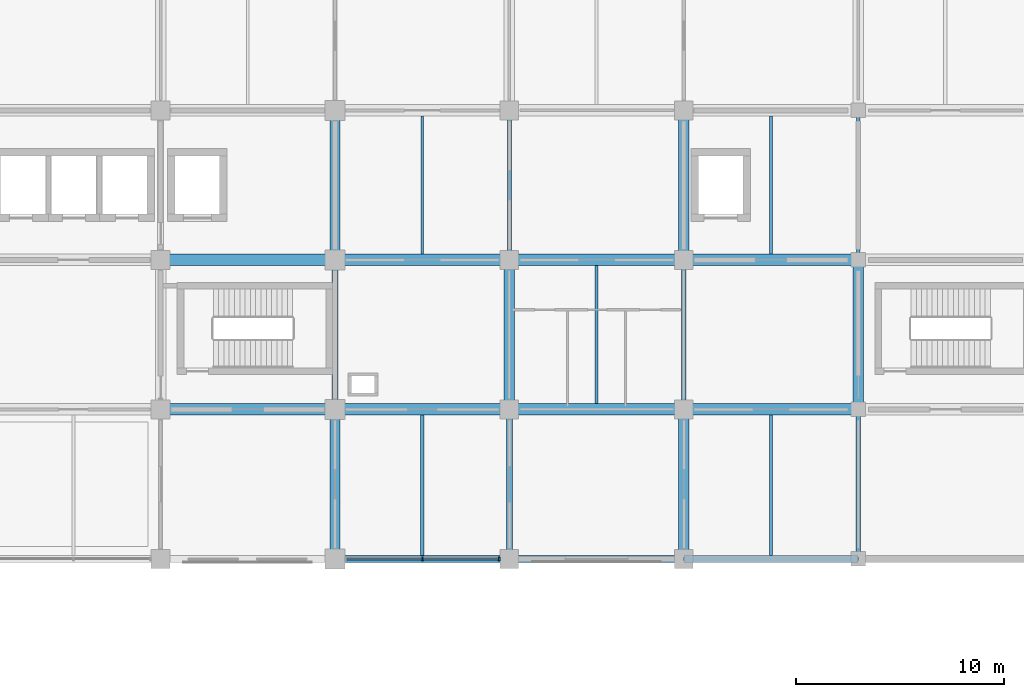
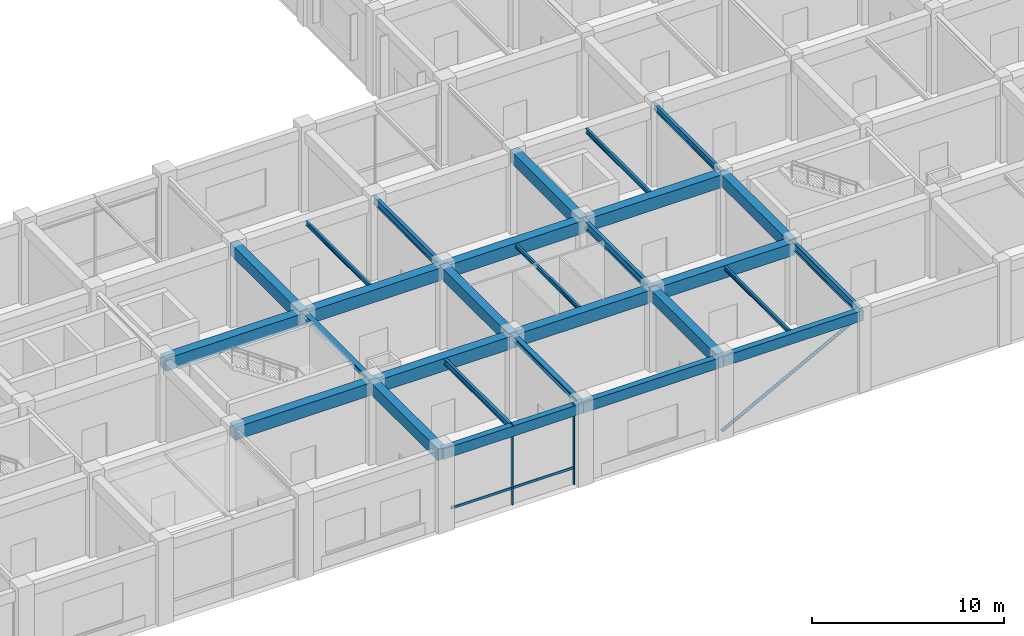
# One storey, part 8 of 41: 28 beams, 5 members, 1 element without a shape of its own.
"""IFC4 building model written with IfcOpenShell, lengths in metres."""

import ifcopenshell
import ifcopenshell.guid

model = None  # the IFC model being written
_history = None  # IfcOwnerHistory: only IFC2X3 demands one
_inside = {}  # id of a spatial element -> (the spatial element, [elements in it])
_under = {}  # id of a project, library or spatial element -> (it, [spatial elements below it])
_declared = {}  # id of a project -> (the project, [libraries it declares])
_typed = {}  # id of a type object -> (the type object, [elements of that type])
_made_of = {}  # id of a material, layer set ... -> (it, [elements and type objects made of it])


def new_model(schema):
    """Start an empty IFC model of exactly this schema.

    Asked for "IFC4X3", IfcOpenShell would pick the latest addendum, in which some entities
    have other attributes; the version numbers below select the first issue.
    IFC2X3 requires an IfcOwnerHistory on every rooted entity: one is made here for all.
    """
    global model, _history
    if schema == "IFC4X3":
        model = ifcopenshell.file(schema_version=(4, 3, 0, 0))
    else:
        model = ifcopenshell.file(schema=schema)
    _inside.clear()
    _under.clear()
    _declared.clear()
    _typed.clear()
    _made_of.clear()
    _history = None
    if model.schema == "IFC2X3":
        org = make("IfcOrganization", Name="unknown")
        user = make(
            "IfcPersonAndOrganization",
            ThePerson=make("IfcPerson", FamilyName="unknown"),
            TheOrganization=org,
        )
        app = make(
            "IfcApplication",
            ApplicationDeveloper=org,
            Version="unknown",
            ApplicationFullName="unknown",
            ApplicationIdentifier="unknown",
        )
        _history = make(
            "IfcOwnerHistory",
            OwningUser=user,
            OwningApplication=app,
            ChangeAction="ADDED",
            CreationDate=0,
        )
    return model


def make(cls, **values):
    """One entity of the class cls with the attributes given. An attribute that is None is left unset."""
    return model.create_entity(
        cls, **{name: value for name, value in values.items() if value is not None}
    )


def rooted(cls, **values):
    """An entity with a GlobalId (a new one), such as an element, a storey or a relation."""
    return make(cls, GlobalId=ifcopenshell.guid.new(), OwnerHistory=_history, **values)


def si_unit(unit_type, name, prefix=None):
    """IfcSIUnit, for example si_unit("LENGTHUNIT", "METRE", prefix="MILLI")."""
    return make("IfcSIUnit", UnitType=unit_type, Prefix=prefix, Name=name)


def derived_unit(unit_type, elements):
    """IfcDerivedUnit: a product of units, each with its exponent."""
    return make(
        "IfcDerivedUnit",
        Elements=[
            make("IfcDerivedUnitElement", Unit=unit, Exponent=power)
            for unit, power in elements
        ],
        UnitType=unit_type,
    )


def assignment(units):
    """IfcUnitAssignment: the units of a project."""
    return None if units is None else make("IfcUnitAssignment", Units=units)


def point(xyz):
    """IfcCartesianPoint."""
    return None if xyz is None else make("IfcCartesianPoint", Coordinates=xyz)


def direction(xyz):
    """IfcDirection."""
    return None if xyz is None else make("IfcDirection", DirectionRatios=xyz)


def frame(location, z_axis=None, x_axis=None):
    """IfcAxis2Placement3D, a coordinate frame: its origin and axes. An axis left out is left unset."""
    return make(
        "IfcAxis2Placement3D",
        Location=point(location),
        Axis=direction(z_axis),
        RefDirection=direction(x_axis),
    )


def frame_2d(location, x_axis=None):
    """IfcAxis2Placement2D, a coordinate frame in the plane: its origin and x axis."""
    return make(
        "IfcAxis2Placement2D", Location=point(location), RefDirection=direction(x_axis)
    )


def origin():
    """The frame at (0, 0, 0) with its axes left unset."""
    return frame((0.0, 0.0, 0.0))


def origin_2d():
    """The frame at (0, 0) in the plane with its x axis left unset."""
    return frame_2d((0.0, 0.0))


def place(relative_to, where):
    """IfcLocalPlacement: puts the frame where relative to a parent placement (None: the world)."""
    return make(
        "IfcLocalPlacement", PlacementRelTo=relative_to, RelativePlacement=where
    )


def context(
    kind, dimensions, precision=None, world=None, true_north=None, identifier=None
):
    """IfcGeometricRepresentationContext, for example the 3D "Model" context."""
    return make(
        "IfcGeometricRepresentationContext",
        ContextIdentifier=identifier,
        ContextType=kind,
        CoordinateSpaceDimension=dimensions,
        Precision=precision,
        WorldCoordinateSystem=world,
        TrueNorth=true_north,
    )


def subcontext(parent, identifier, kind, view, scale=None):
    """IfcGeometricRepresentationSubContext, for example "Body" below "Model"."""
    return make(
        "IfcGeometricRepresentationSubContext",
        ContextIdentifier=identifier,
        ContextType=kind,
        ParentContext=parent,
        TargetScale=scale,
        TargetView=view,
    )


def project(units=None, contexts=None):
    """IfcProject with its units and contexts."""
    return rooted(
        "IfcProject",
        Name="project",
        RepresentationContexts=contexts,
        UnitsInContext=assignment(units),
    )


def spatial(cls, under=None, at=None, **own):
    """A site, building, storey or space (cls), placed at a placement, below another one or the project."""
    s = rooted(cls, ObjectPlacement=at, **own)
    if under is not None:
        _under.setdefault(under.id(), (under, []))[1].append(s)
    return s


def profile(cls, at=None, kind="AREA", **sizes):
    """A parametric profile (cls). Its sizes go by their IFC names, for example OverallWidth=200.0."""
    return make(cls, ProfileType=kind, Position=at, **sizes)


def rectangle(**sizes):
    """IfcRectangleProfileDef."""
    return profile("IfcRectangleProfileDef", **sizes)


def hollow_circle(**sizes):
    """IfcCircleHollowProfileDef."""
    return profile("IfcCircleHollowProfileDef", **sizes)


def i_section(**sizes):
    """IfcIShapeProfileDef."""
    return profile("IfcIShapeProfileDef", **sizes)


def extrude(swept, where, along, depth):
    """IfcExtrudedAreaSolid: the profile swept, set in the frame where, extruded along a direction by depth."""
    return make(
        "IfcExtrudedAreaSolid",
        SweptArea=swept,
        Position=where,
        ExtrudedDirection=direction(along),
        Depth=depth,
    )


def shape(context_of_items, identifier, shape_type, items):
    """IfcShapeRepresentation: the items that make up one representation, for example the "Body"."""
    return make(
        "IfcShapeRepresentation",
        ContextOfItems=context_of_items,
        RepresentationIdentifier=identifier,
        RepresentationType=shape_type,
        Items=items,
    )


def material(Name=None, Category=None):
    """IfcMaterial."""
    return make("IfcMaterial", Name=Name, Category=Category)


def material_profile(
    of_material, cross_section, Name=None, Category=None, Priority=None
):
    """IfcMaterialProfile: a cross section and its material."""
    return make(
        "IfcMaterialProfile",
        Name=Name,
        Material=of_material,
        Profile=cross_section,
        Priority=Priority,
        Category=Category,
    )


def profile_set(profiles, Name=None, composite=None):
    """IfcMaterialProfileSet."""
    return make(
        "IfcMaterialProfileSet",
        Name=Name,
        MaterialProfiles=profiles,
        CompositeProfile=composite,
    )


def made_of(thing, what):
    """Note that an element or type object is made of a material, layer set ...; save() writes the relation."""
    if what is not None:
        _made_of.setdefault(what.id(), (what, []))[1].append(thing)
    return thing


def type_object(cls, material=None, **own):
    """A type object (cls), such as IfcWallType, which elements share."""
    return made_of(rooted(cls, **own), material)


def element(
    cls,
    number,
    at=None,
    inside=None,
    cuts=None,
    type_object=None,
    material=None,
    context=None,
    identifier="Body",
    shape_type=None,
    held_by="IfcProductDefinitionShape",
    body=None,
    shapes=None,
    **own,
):
    """One element of the class cls, such as IfcWall. Its Tag is "e" and its number.

    at: its placement. inside: the storey or other place that contains it. cuts: it is an
    opening in that element (IfcRelVoidsElement). A single representation is given by context,
    identifier, shape_type and body (its items); several are given by shapes. held_by: the class
    of the entity that holds the representations. save() writes the other relations.
    """
    e = rooted(cls, Tag="e%d" % number, ObjectPlacement=at, **own)
    if body is not None:
        shapes = [shape(context, identifier, shape_type, body)]
    if shapes is not None:
        e.Representation = make(held_by, Representations=shapes)
    if inside is not None:
        _inside.setdefault(inside.id(), (inside, []))[1].append(e)
    if cuts is not None:
        rooted(
            "IfcRelVoidsElement", RelatingBuildingElement=cuts, RelatedOpeningElement=e
        )
    if type_object is not None:
        _typed.setdefault(type_object.id(), (type_object, []))[1].append(e)
    return made_of(e, material)


def aggregate(whole, parts):
    """IfcRelAggregates: a whole, such as a stair, and the parts it consists of."""
    return rooted("IfcRelAggregates", RelatingObject=whole, RelatedObjects=parts)


def save(model, path):
    """Write the relations noted so far, then the file.

    IfcRelAggregates (storeys below a building ...), IfcRelContainedInSpatialStructure (elements
    in a storey), IfcRelDefinesByType, IfcRelAssociatesMaterial and IfcRelDeclares: one each for
    every whole, place, type object, material and project.
    """
    for whole, parts in _under.values():
        aggregate(whole, parts)
    for where, things in _inside.values():
        rooted(
            "IfcRelContainedInSpatialStructure",
            RelatedElements=things,
            RelatingStructure=where,
        )
    for kind, things in _typed.values():
        rooted("IfcRelDefinesByType", RelatedObjects=things, RelatingType=kind)
    for what, things in _made_of.values():
        rooted("IfcRelAssociatesMaterial", RelatedObjects=things, RelatingMaterial=what)
    for by, libraries in _declared.values():
        rooted("IfcRelDeclares", RelatingContext=by, RelatedDefinitions=libraries)
    model.write(path)


model = new_model("IFC4")

# Units and contexts
model_context = context("Model", 3, precision=1e-05, world=origin(), true_north=direction((0.0, 1.0)))
body_context = subcontext(model_context, "Body", "Model", "MODEL_VIEW")
ifc_project = project(units=[si_unit("LENGTHUNIT", "METRE"), si_unit("AREAUNIT", "SQUARE_METRE"), si_unit("VOLUMEUNIT", "CUBIC_METRE"), si_unit("PLANEANGLEUNIT", "RADIAN"), si_unit("MASSUNIT", "GRAM", prefix="KILO"), derived_unit("THERMALTRANSMITTANCEUNIT", [(si_unit("MASSUNIT", "GRAM", prefix="KILO"), 1), (si_unit("TIMEUNIT", "SECOND"), -3), (si_unit("THERMODYNAMICTEMPERATUREUNIT", "KELVIN"), -1)])], contexts=[model_context])

# Site, building, storey
site_placement = place(None, origin())
site = spatial("IfcSite", under=ifc_project, at=site_placement, CompositionType="ELEMENT")
building_placement = place(site_placement, origin())
building = spatial("IfcBuilding", under=site, at=building_placement, Name="Veldstrom Oceanarium and Marine Research Institute", CompositionType="ELEMENT")
storey_placement = place(building_placement, frame((0.0, 0.0, 6.0)))
storey = spatial("IfcBuildingStorey", under=building, at=storey_placement, Name="L01", CompositionType="ELEMENT", Elevation=6.0)

# Curtain wall, members
ifc_material_1 = material(Name="Anodised Aluminium Framing", Category="aluminium")
curtain_wall_type = type_object("IfcCurtainWallType", Name="ARC-CW-CW02", PredefinedType="USERDEFINED", material=ifc_material_1)
curtain_wall_placement = place(storey_placement, origin())
curtain_wall = element("IfcCurtainWall", 1, at=curtain_wall_placement, inside=storey, type_object=curtain_wall_type, Name="Curtain Wall CW02 CW-L01-012", ObjectType="Curtain wall", PredefinedType="USERDEFINED")
ifc_material_2 = material(Name="Anodised Aluminium Framing", Category="aluminium")
ifc_material_profile_1 = material_profile(ifc_material_2, rectangle(XDim=0.074951171875, YDim=0.179931640625, at=origin_2d()), Name="ALU-MUL-75x180")
ifc_profile_set_1 = profile_set([ifc_material_profile_1], Name="Anodised Aluminium Framing")
member_type_1 = type_object("IfcMemberType", Name="ARC-MUL-ML1", PredefinedType="MULLION", material=ifc_profile_set_1)
member_1_placement = place(storey_placement, frame((105.012451171875, 43.199951171875, 0.0), z_axis=(0.0, 0.0, 1.0), x_axis=(1.0, 0.0, 0.0)))
member_1 = element("IfcMember", 2, at=member_1_placement, type_object=member_type_1, Name="Curtain Wall Mullion CW-L01-012-MUL-2", PredefinedType="MULLION", context=body_context, shape_type="SweptSolid", body=[
    extrude(rectangle(XDim=0.074951171875, YDim=0.179931640625, at=origin_2d()), origin(), (0.0, 0.0, 1.0), 5.074951171875),
])
member_2_placement = place(storey_placement, frame((108.7099609375, 43.199951171875, 0.0), z_axis=(0.0, 0.0, 1.0), x_axis=(1.0, 0.0, 0.0)))
member_2 = element("IfcMember", 3, at=member_2_placement, type_object=member_type_1, Name="Curtain Wall Mullion CW-L01-012-MUL-3", PredefinedType="MULLION", context=body_context, shape_type="SweptSolid", body=[
    extrude(rectangle(XDim=0.074951171875, YDim=0.179931640625, at=origin_2d()), origin(), (0.0, 0.0, 1.0), 5.074951171875),
])
ifc_material_3 = material(Name="Anodised Aluminium Framing", Category="aluminium")
ifc_material_profile_2 = material_profile(ifc_material_3, rectangle(XDim=0.074951171875, YDim=0.14990234375, at=origin_2d()), Name="ALU-TRN-75x150")
ifc_profile_set_2 = profile_set([ifc_material_profile_2], Name="Anodised Aluminium Framing")
member_type_2 = type_object("IfcMemberType", Name="ARC-TRN-TR1", PredefinedType="USERDEFINED", material=ifc_profile_set_2)
member_3_placement = place(storey_placement, frame((101.35498046875, 43.199951171875, 1.050048828125), z_axis=(1.0, 0.0, 0.0), x_axis=(0.0, 1.0, 0.0)))
member_3 = element("IfcMember", 4, at=member_3_placement, type_object=member_type_2, Name="Curtain Wall Transom CW-L01-012-TRN-1", ObjectType="Transom", PredefinedType="USERDEFINED", context=body_context, shape_type="SweptSolid", body=[
    extrude(rectangle(XDim=0.074951171875, YDim=0.14990234375, at=origin_2d()), origin(), (0.0, 0.0, 1.0), 3.617431640625),
])
member_4_placement = place(storey_placement, frame((105.052490234375, 43.199951171875, 1.050048828125), z_axis=(1.0, 0.0, 0.0), x_axis=(0.0, 1.0, 0.0)))
member_4 = element("IfcMember", 5, at=member_4_placement, type_object=member_type_2, Name="Curtain Wall Transom CW-L01-012-TRN-2", ObjectType="Transom", PredefinedType="USERDEFINED", context=body_context, shape_type="SweptSolid", body=[
    extrude(rectangle(XDim=0.074951171875, YDim=0.14990234375, at=origin_2d()), origin(), (0.0, 0.0, 1.0), 3.617431640625),
])
aggregate(curtain_wall, [member_1, member_2, member_3, member_4])

# Beams
ifc_material_4 = material(Name="Concrete C40/50", Category="concrete")
ifc_material_profile_3 = material_profile(ifc_material_4, rectangle(XDim=0.550048828125, YDim=0.800048828125, at=origin_2d()), Name="RC-BM-550x800")
ifc_profile_set_3 = profile_set([ifc_material_profile_3], Name="Concrete C40/50")
beam_type_1 = type_object("IfcBeamType", Name="STR-BM-B02", PredefinedType="BEAM", material=ifc_profile_set_3)
for number, where, z_axis, x_axis, name in (
    (6, (92.39990234375, 50.39990234375, 4.669921875), (1.0, 0.0, 0.0), (0.0, 1.0, 0.0), "Primary Beam B02 L01-1223"),
    (7, (92.39990234375, 57.60009765625, 4.669921875), (1.0, 0.0, 0.0), (0.0, 1.0, 0.0), "Primary Beam B02 L01-1224"),
):
    element("IfcBeam", number, at=place(storey_placement, frame(where, z_axis=z_axis, x_axis=x_axis)), inside=storey, type_object=beam_type_1, Name=name, PredefinedType="BEAM", context=body_context, shape_type="SweptSolid", body=[
        extrude(rectangle(XDim=0.550048828125, YDim=0.800048828125, at=origin_2d()), origin(), (0.0, 0.0, 1.0), 8.400146484375),
    ])
for number, where, z_axis, x_axis, name in (
    (8, (100.800048828125, 50.39990234375, 4.669921875), (1.0, 0.0, 0.0), (0.0, 1.0, 0.0), "Primary Beam B02 L01-1228"),
    (9, (100.800048828125, 57.60009765625, 4.669921875), (1.0, 0.0, 0.0), (0.0, 1.0, 0.0), "Primary Beam B02 L01-1229"),
):
    element("IfcBeam", number, at=place(storey_placement, frame(where, z_axis=z_axis, x_axis=x_axis)), inside=storey, type_object=beam_type_1, Name=name, PredefinedType="BEAM", context=body_context, shape_type="SweptSolid", body=[
        extrude(rectangle(XDim=0.550048828125, YDim=0.800048828125, at=origin_2d()), origin(), (0.0, 0.0, 1.0), 8.39990234375),
    ])
for number, where, z_axis, x_axis, name in (
    (10, (109.199951171875, 50.39990234375, 4.669921875), (1.0, 0.0, 0.0), (0.0, 1.0, 0.0), "Primary Beam B02 L01-1233"),
    (11, (109.199951171875, 57.60009765625, 4.669921875), (1.0, 0.0, 0.0), (0.0, 1.0, 0.0), "Primary Beam B02 L01-1234"),
):
    element("IfcBeam", number, at=place(storey_placement, frame(where, z_axis=z_axis, x_axis=x_axis)), inside=storey, type_object=beam_type_1, Name=name, PredefinedType="BEAM", context=body_context, shape_type="SweptSolid", body=[
        extrude(rectangle(XDim=0.550048828125, YDim=0.800048828125, at=origin_2d()), origin(), (0.0, 0.0, 1.0), 8.400146484375),
    ])
for number, where, z_axis, x_axis, name in (
    (12, (117.60009765625, 50.39990234375, 4.669921875), (1.0, 0.0, 0.0), (0.0, 1.0, 0.0), "Primary Beam B02 L01-1238"),
    (13, (117.60009765625, 57.60009765625, 4.669921875), (1.0, 0.0, 0.0), (0.0, 1.0, 0.0), "Primary Beam B02 L01-1239"),
):
    element("IfcBeam", number, at=place(storey_placement, frame(where, z_axis=z_axis, x_axis=x_axis)), inside=storey, type_object=beam_type_1, Name=name, PredefinedType="BEAM", context=body_context, shape_type="SweptSolid", body=[
        extrude(rectangle(XDim=0.550048828125, YDim=0.800048828125, at=origin_2d()), origin(), (0.0, 0.0, 1.0), 8.39990234375),
    ])
ifc_material_5 = material(Name="Concrete C40/50", Category="concrete")
ifc_material_profile_4 = material_profile(ifc_material_5, rectangle(XDim=0.5, YDim=0.75, at=origin_2d()), Name="RC-BM-500x750")
ifc_profile_set_4 = profile_set([ifc_material_profile_4], Name="Concrete C40/50")
beam_type_2 = type_object("IfcBeamType", Name="STR-BM-B03", PredefinedType="BEAM", material=ifc_profile_set_4)
for number, where, z_axis, x_axis, name in (
    (14, (100.800048828125, 43.199951171875, 4.695068359375), (0.0, 1.0, 0.0), (-1.0, 0.0, 0.0), "Primary Beam B03 L01-1375"),
    (15, (100.800048828125, 57.60009765625, 4.695068359375), (0.0, 1.0, 0.0), (-1.0, 0.0, 0.0), "Primary Beam B03 L01-1377"),
):
    element("IfcBeam", number, at=place(storey_placement, frame(where, z_axis=z_axis, x_axis=x_axis)), inside=storey, type_object=beam_type_2, Name=name, PredefinedType="BEAM", context=body_context, shape_type="SweptSolid", body=[
        extrude(rectangle(XDim=0.5, YDim=0.75, at=origin_2d()), origin(), (0.0, 0.0, 1.0), 7.199951171875),
    ])
beam_1_placement = place(storey_placement, frame((109.199951171875, 50.39990234375, 4.695068359375), z_axis=(0.0, 1.0, 0.0), x_axis=(-1.0, 0.0, 0.0)))
element("IfcBeam", 16, at=beam_1_placement, inside=storey, type_object=beam_type_2, Name="Primary Beam B03 L01-1380", PredefinedType="BEAM", context=body_context, shape_type="SweptSolid", body=[
    extrude(rectangle(XDim=0.5, YDim=0.75, at=origin_2d()), origin(), (0.0, 0.0, 1.0), 7.2001953125),
])
for number, where, z_axis, x_axis, name in (
    (17, (117.60009765625, 43.199951171875, 4.695068359375), (0.0, 1.0, 0.0), (-1.0, 0.0, 0.0), "Primary Beam B03 L01-1383"),
    (18, (117.60009765625, 57.60009765625, 4.695068359375), (0.0, 1.0, 0.0), (-1.0, 0.0, 0.0), "Primary Beam B03 L01-1385"),
):
    element("IfcBeam", number, at=place(storey_placement, frame(where, z_axis=z_axis, x_axis=x_axis)), inside=storey, type_object=beam_type_2, Name=name, PredefinedType="BEAM", context=body_context, shape_type="SweptSolid", body=[
        extrude(rectangle(XDim=0.5, YDim=0.75, at=origin_2d()), origin(), (0.0, 0.0, 1.0), 7.199951171875),
    ])
beam_2_placement = place(storey_placement, frame((126.0, 50.39990234375, 4.695068359375), z_axis=(0.0, 1.0, 0.0), x_axis=(-1.0, 0.0, 0.0)))
element("IfcBeam", 19, at=beam_2_placement, inside=storey, type_object=beam_type_2, Name="Primary Beam B03 L01-1391", PredefinedType="BEAM", context=body_context, shape_type="SweptSolid", body=[
    extrude(rectangle(XDim=0.5, YDim=0.75, at=origin_2d()), origin(), (0.0, 0.0, 1.0), 7.2001953125),
])
ifc_material_6 = material(Name="Steel S355JR", Category="steel")
ifc_material_profile_5 = material_profile(ifc_material_6, i_section(OverallWidth=0.300048828125, OverallDepth=0.2900390625, WebThickness=0.008544921875, FlangeThickness=0.013916015625, FilletRadius=0.027099609375, at=origin_2d()), Name="HEA 300")
ifc_profile_set_5 = profile_set([ifc_material_profile_5], Name="Steel S355JR")
beam_type_3 = type_object("IfcBeamType", Name="STR-BM-SB10", PredefinedType="BEAM", material=ifc_profile_set_5)
beam_3_placement = place(storey_placement, frame((100.800048828125, 50.39990234375, 4.925048828125), z_axis=(0.0, 1.0, 0.0), x_axis=(-1.0, 0.0, 0.0)))
element("IfcBeam", 20, at=beam_3_placement, inside=storey, type_object=beam_type_3, Name="Steel Tie Beam SB10 L01-1376", PredefinedType="BEAM", context=body_context, shape_type="SweptSolid", body=[
    extrude(i_section(OverallWidth=0.300048828125, OverallDepth=0.2900390625, WebThickness=0.008544921875, FlangeThickness=0.013916015625, FilletRadius=0.027099609375, at=origin_2d()), origin(), (0.0, 0.0, 1.0), 7.2001953125),
])
beam_4_placement = place(storey_placement, frame((109.199951171875, 43.199951171875, 4.925048828125), z_axis=(0.0, 1.0, 0.0), x_axis=(-1.0, 0.0, 0.0)))
element("IfcBeam", 21, at=beam_4_placement, inside=storey, type_object=beam_type_3, Name="Steel Tie Beam SB10 L01-1379", PredefinedType="BEAM", context=body_context, shape_type="SweptSolid", body=[
    extrude(i_section(OverallWidth=0.300048828125, OverallDepth=0.2900390625, WebThickness=0.008544921875, FlangeThickness=0.013916015625, FilletRadius=0.027099609375, at=origin_2d()), origin(), (0.0, 0.0, 1.0), 7.199951171875),
])
ifc_material_7 = material(Name="Steel S355JR", Category="steel")
ifc_material_profile_6 = material_profile(ifc_material_7, i_section(OverallWidth=0.199951171875, OverallDepth=0.5, WebThickness=0.01025390625, FlangeThickness=0.01611328125, FilletRadius=0.02099609375, at=origin_2d()), Name="IPE 500")
ifc_profile_set_6 = profile_set([ifc_material_profile_6], Name="Steel S355JR")
beam_type_4 = type_object("IfcBeamType", Name="STR-BM-SB6", PredefinedType="BEAM", material=ifc_profile_set_6)
beam_5_placement = place(storey_placement, frame((109.199951171875, 57.60009765625, 4.820068359375), z_axis=(0.0, 1.0, 0.0), x_axis=(-1.0, 0.0, 0.0)))
element("IfcBeam", 22, at=beam_5_placement, inside=storey, type_object=beam_type_4, Name="Steel Tie Beam SB6 L01-1381", PredefinedType="BEAM", context=body_context, shape_type="SweptSolid", body=[
    extrude(i_section(OverallWidth=0.199951171875, OverallDepth=0.5, WebThickness=0.01025390625, FlangeThickness=0.01611328125, FilletRadius=0.02099609375, at=origin_2d()), origin(), (0.0, 0.0, 1.0), 7.199951171875),
])
beam_6_placement = place(storey_placement, frame((117.60009765625, 50.39990234375, 4.820068359375), z_axis=(0.0, 1.0, 0.0), x_axis=(-1.0, 0.0, 0.0)))
element("IfcBeam", 23, at=beam_6_placement, inside=storey, type_object=beam_type_4, Name="Steel Tie Beam SB6 L01-1384", PredefinedType="BEAM", context=body_context, shape_type="SweptSolid", body=[
    extrude(i_section(OverallWidth=0.199951171875, OverallDepth=0.5, WebThickness=0.01025390625, FlangeThickness=0.01611328125, FilletRadius=0.02099609375, at=origin_2d()), origin(), (0.0, 0.0, 1.0), 7.2001953125),
])
beam_7_placement = place(storey_placement, frame((126.0, 43.199951171875, 4.820068359375), z_axis=(0.0, 1.0, 0.0), x_axis=(-1.0, 0.0, 0.0)))
element("IfcBeam", 24, at=beam_7_placement, inside=storey, type_object=beam_type_4, Name="Steel Tie Beam SB6 L01-1390", PredefinedType="BEAM", context=body_context, shape_type="SweptSolid", body=[
    extrude(i_section(OverallWidth=0.199951171875, OverallDepth=0.5, WebThickness=0.01025390625, FlangeThickness=0.01611328125, FilletRadius=0.02099609375, at=origin_2d()), origin(), (0.0, 0.0, 1.0), 7.199951171875),
])
ifc_material_8 = material(Name="Steel S355JR", Category="steel")
ifc_material_profile_7 = material_profile(ifc_material_8, i_section(OverallWidth=0.179931640625, OverallDepth=0.39990234375, WebThickness=0.008544921875, FlangeThickness=0.013427734375, FilletRadius=0.02099609375, at=origin_2d()), Name="IPE 400")
ifc_profile_set_7 = profile_set([ifc_material_profile_7], Name="Steel S355JR")
beam_type_5 = type_object("IfcBeamType", Name="STR-BM-SB8", PredefinedType="BEAM", material=ifc_profile_set_7)
beam_8_placement = place(storey_placement, frame((126.0, 57.60009765625, 4.8701171875), z_axis=(0.0, 1.0, 0.0), x_axis=(-1.0, 0.0, 0.0)))
element("IfcBeam", 25, at=beam_8_placement, inside=storey, type_object=beam_type_5, Name="Steel Tie Beam SB8 L01-1392", PredefinedType="BEAM", context=body_context, shape_type="SweptSolid", body=[
    extrude(i_section(OverallWidth=0.179931640625, OverallDepth=0.39990234375, WebThickness=0.008544921875, FlangeThickness=0.013427734375, FilletRadius=0.02099609375, at=origin_2d()), origin(), (0.0, 0.0, 1.0), 7.199951171875),
])
ifc_material_9 = material(Name="Steel S355JR", Category="steel")
ifc_material_profile_8 = material_profile(ifc_material_9, i_section(OverallWidth=0.169921875, OverallDepth=0.360107421875, WebThickness=0.008056640625, FlangeThickness=0.0126953125, FilletRadius=0.01806640625, at=origin_2d()), Name="IPE 360")
ifc_profile_set_8 = profile_set([ifc_material_profile_8], Name="Steel S355JR")
beam_type_6 = type_object("IfcBeamType", Name="STR-JST-SJ1", PredefinedType="JOIST", material=ifc_profile_set_8)
beam_9_placement = place(storey_placement, frame((105.0, 43.375, 4.889892578125), z_axis=(0.0, 1.0, 0.0), x_axis=(-1.0, 0.0, 0.0)))
element("IfcBeam", 26, at=beam_9_placement, inside=storey, type_object=beam_type_6, Name="Secondary Joist SJ1 L01-1467", PredefinedType="JOIST", context=body_context, shape_type="SweptSolid", body=[
    extrude(i_section(OverallWidth=0.169921875, OverallDepth=0.360107421875, WebThickness=0.008056640625, FlangeThickness=0.0126953125, FilletRadius=0.01806640625, at=origin_2d()), origin(), (0.0, 0.0, 1.0), 6.75),
])
ifc_material_10 = material(Name="Steel S355JR", Category="steel")
ifc_material_profile_9 = material_profile(ifc_material_10, i_section(OverallWidth=0.14990234375, OverallDepth=0.300048828125, WebThickness=0.007080078125, FlangeThickness=0.0107421875, FilletRadius=0.014892578125, at=origin_2d()), Name="IPE 300")
ifc_profile_set_9 = profile_set([ifc_material_profile_9], Name="Steel S355JR")
beam_type_7 = type_object("IfcBeamType", Name="STR-JST-SJ2", PredefinedType="JOIST", material=ifc_profile_set_9)
beam_10_placement = place(storey_placement, frame((121.800048828125, 57.875, 4.919921875), z_axis=(0.0, 1.0, 0.0), x_axis=(-1.0, 0.0, 0.0)))
element("IfcBeam", 27, at=beam_10_placement, inside=storey, type_object=beam_type_7, Name="Secondary Joist SJ2 L01-1472", PredefinedType="JOIST", context=body_context, shape_type="SweptSolid", body=[
    extrude(i_section(OverallWidth=0.14990234375, OverallDepth=0.300048828125, WebThickness=0.007080078125, FlangeThickness=0.0107421875, FilletRadius=0.014892578125, at=origin_2d()), origin(), (0.0, 0.0, 1.0), 6.64990234375),
])
ifc_material_11 = material(Name="Steel S355JR", Category="steel")
ifc_material_profile_10 = material_profile(ifc_material_11, i_section(OverallWidth=0.135009765625, OverallDepth=0.27001953125, WebThickness=0.006591796875, FlangeThickness=0.01025390625, FilletRadius=0.014892578125, at=origin_2d()), Name="IPE 270")
ifc_profile_set_10 = profile_set([ifc_material_profile_10], Name="Steel S355JR")
beam_type_8 = type_object("IfcBeamType", Name="STR-JST-SJ3", PredefinedType="JOIST", material=ifc_profile_set_10)
for number, where, z_axis, x_axis, name in (
    (28, (105.0, 57.875, 4.93505859375), (0.0, 1.0, 0.0), (-1.0, 0.0, 0.0), "Secondary Joist SJ3 L01-1468"),
    (29, (113.39990234375, 50.675048828125, 4.93505859375), (0.0, 1.0, 0.0), (-1.0, 0.0, 0.0), "Secondary Joist SJ3 L01-1469"),
):
    element("IfcBeam", number, at=place(storey_placement, frame(where, z_axis=z_axis, x_axis=x_axis)), inside=storey, type_object=beam_type_8, Name=name, PredefinedType="JOIST", context=body_context, shape_type="SweptSolid", body=[
        extrude(i_section(OverallWidth=0.135009765625, OverallDepth=0.27001953125, WebThickness=0.006591796875, FlangeThickness=0.01025390625, FilletRadius=0.014892578125, at=origin_2d()), origin(), (0.0, 0.0, 1.0), 6.64990234375),
    ])
beam_11_placement = place(storey_placement, frame((121.800048828125, 43.375, 4.93505859375), z_axis=(0.0, 1.0, 0.0), x_axis=(-1.0, 0.0, 0.0)))
element("IfcBeam", 30, at=beam_11_placement, inside=storey, type_object=beam_type_8, Name="Secondary Joist SJ3 L01-1471", PredefinedType="JOIST", context=body_context, shape_type="SweptSolid", body=[
    extrude(i_section(OverallWidth=0.135009765625, OverallDepth=0.27001953125, WebThickness=0.006591796875, FlangeThickness=0.01025390625, FilletRadius=0.014892578125, at=origin_2d()), origin(), (0.0, 0.0, 1.0), 6.75),
])

# Member
ifc_material_12 = material(Name="Steel S355JR", Category="steel")
ifc_material_profile_11 = material_profile(ifc_material_12, hollow_circle(Radius=0.096923828125, WallThickness=0.010009765625, at=origin_2d()), Name="CHS 193.7x10")
ifc_profile_set_11 = profile_set([ifc_material_profile_11], Name="Steel S355JR")
member_type_3 = type_object("IfcMemberType", Name="STR-MEM-BR2", PredefinedType="BRACE", material=ifc_profile_set_11)
member_5_placement = place(storey_placement, frame((117.60009765625, 43.199951171875, 0.25), z_axis=(0.882564454407, 0.0, 0.47019143316), x_axis=(0.0, 1.0, 0.0)))
element("IfcMember", 31, at=member_5_placement, inside=storey, type_object=member_type_3, Name="Party-Wall Lateral Brace LB-L01-0613", PredefinedType="BRACE", context=body_context, shape_type="SweptSolid", body=[
    extrude(hollow_circle(Radius=0.096923828125, WallThickness=0.010009765625, at=origin_2d()), origin(), (0.0, 0.0, 1.0), 9.517578125),
])

# Beams
ifc_material_13 = material(Name="Concrete C40/50", Category="concrete")
ifc_material_profile_12 = material_profile(ifc_material_13, rectangle(XDim=0.35009765625, YDim=0.64990234375, at=origin_2d()), Name="RC-SPN-350x650")
ifc_profile_set_12 = profile_set([ifc_material_profile_12], Name="Concrete C40/50")
beam_type_9 = type_object("IfcBeamType", Name="STR-SPN-SP1", PredefinedType="SPANDREL", material=ifc_profile_set_12)
beam_12_placement = place(storey_placement, frame((100.800048828125, 43.199951171875, 4.7451171875), z_axis=(1.0, 0.0, 0.0), x_axis=(0.0, 1.0, 0.0)))
element("IfcBeam", 32, at=beam_12_placement, inside=storey, type_object=beam_type_9, Name="Perimeter Spandrel SPB1 L01-1227", PredefinedType="SPANDREL", context=body_context, shape_type="SweptSolid", body=[
    extrude(rectangle(XDim=0.35009765625, YDim=0.64990234375, at=origin_2d()), origin(), (0.0, 0.0, 1.0), 8.39990234375),
])
beam_13_placement = place(storey_placement, frame((109.199951171875, 43.199951171875, 4.7451171875), z_axis=(1.0, 0.0, 0.0), x_axis=(0.0, 1.0, 0.0)))
element("IfcBeam", 33, at=beam_13_placement, inside=storey, type_object=beam_type_9, Name="Perimeter Spandrel SPB1 L01-1232", PredefinedType="SPANDREL", context=body_context, shape_type="SweptSolid", body=[
    extrude(rectangle(XDim=0.35009765625, YDim=0.64990234375, at=origin_2d()), origin(), (0.0, 0.0, 1.0), 8.400146484375),
])
beam_14_placement = place(storey_placement, frame((117.60009765625, 43.199951171875, 4.7451171875), z_axis=(1.0, 0.0, 0.0), x_axis=(0.0, 1.0, 0.0)))
element("IfcBeam", 34, at=beam_14_placement, inside=storey, type_object=beam_type_9, Name="Perimeter Spandrel SPB1 L01-1237", PredefinedType="SPANDREL", context=body_context, shape_type="SweptSolid", body=[
    extrude(rectangle(XDim=0.35009765625, YDim=0.64990234375, at=origin_2d()), origin(), (0.0, 0.0, 1.0), 8.39990234375),
])

save(model, "model.ifc")
